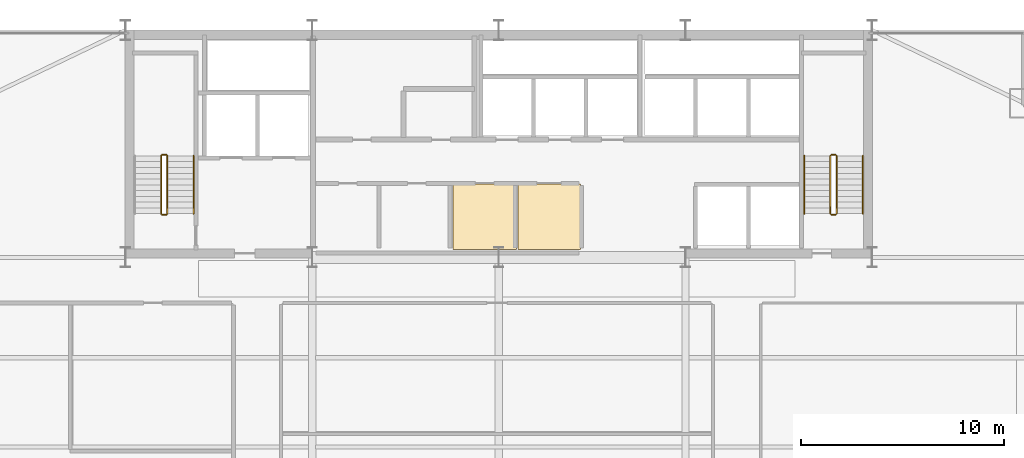
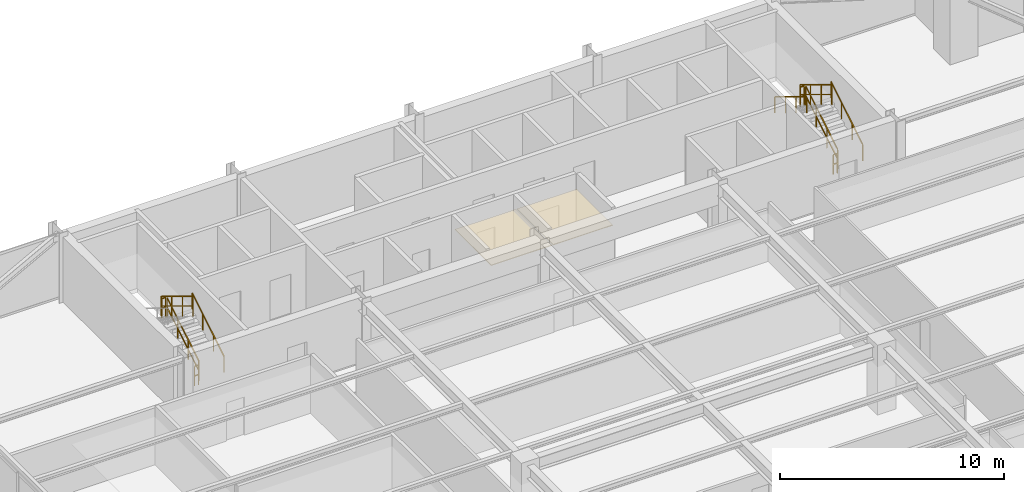
# One storey, part 30 of 30: 11 railings, 2 coverings.
"""IFC4 building model written with IfcOpenShell, lengths in metres."""

from ifc_helpers import new_model, si_unit, direction, frame, origin, origin_2d, place, context, subcontext, project, spatial, polyline, rectangle, outline, extrude, material, layer, layer_set, type_object, element, save


model = new_model("IFC4")

# Units and contexts
model_context = context("Model", 3, precision=1e-05, world=origin(), true_north=direction((0.0, 1.0)))
body_context = subcontext(model_context, "Body", "Model", "MODEL_VIEW")
ifc_project = project(units=[si_unit("LENGTHUNIT", "METRE"), si_unit("AREAUNIT", "SQUARE_METRE"), si_unit("VOLUMEUNIT", "CUBIC_METRE"), si_unit("PLANEANGLEUNIT", "RADIAN"), si_unit("MASSUNIT", "GRAM", prefix="KILO")], contexts=[model_context])

# Site, building, storey
site_placement = place(None, origin())
site = spatial("IfcSite", under=ifc_project, at=site_placement, CompositionType="ELEMENT")
building_placement = place(site_placement, origin())
building = spatial("IfcBuilding", under=site, at=building_placement, Name="Varnel Quay Broadcast Tower", CompositionType="ELEMENT")
storey_placement = place(building_placement, frame((0.0, 0.0, 122.0)))
storey = spatial("IfcBuildingStorey", under=building, at=storey_placement, Name="L29", CompositionType="ELEMENT", Elevation=122.0)

# Coverings
ifc_material_1 = material(Name="Micro-Perforated Acoustic Ceiling Tile")
ifc_layer = layer(ifc_material_1, 0.0400390625, Name="Micro-Perforated Acoustic Ceiling Tile")
ifc_layer_set = layer_set([ifc_layer], Name="Micro-Perforated Acoustic Ceiling Tile")
covering_type = type_object("IfcCoveringType", Name="Cov_AcousticCeiling", PredefinedType="CEILING", material=ifc_layer_set)
covering_1_placement = place(storey_placement, frame((0.0, 0.0, 2.580078125)))
element("IfcCovering", 1, at=covering_1_placement, inside=storey, type_object=covering_type, Name="L29 Broadcast First-Aid & Quiet Room Acoustic Ceiling", PredefinedType="CEILING", context=body_context, shape_type="SweptSolid", body=[
    extrude(outline(polyline([(31.735107421875, 35.985107421875), (34.864990234375, 35.985107421875), (34.864990234375, 39.215087890625), (31.735107421875, 39.215087890625), (31.735107421875, 35.985107421875)])), origin(), (0.0, 0.0, 1.0), 0.0400390625),
])
covering_2_placement = place(storey_placement, frame((0.0, 0.0, 2.580078125)))
element("IfcCovering", 2, at=covering_2_placement, inside=storey, type_object=covering_type, Name="L29 Zone Lighting Dimmer Room Acoustic Ceiling", PredefinedType="CEILING", context=body_context, shape_type="SweptSolid", body=[
    extrude(outline(polyline([(34.93505859375, 35.985107421875), (38.014892578125, 35.985107421875), (38.014892578125, 39.215087890625), (34.93505859375, 39.215087890625), (34.93505859375, 35.985107421875)])), origin(), (0.0, 0.0, 1.0), 0.0400390625),
])

# Railings
ifc_material_2 = material(Name="Painted Steel Guard and Handrail CSA G40.21 350W", Category="steel")
railing_type_1 = type_object("IfcRailingType", Name="Rail_StairGuard1100", PredefinedType="GUARDRAIL", material=ifc_material_2)
railing_1_placement = place(storey_placement, frame((17.64990234375, 37.75, 0.172607421875)))
element("IfcRailing", 3, at=railing_1_placement, inside=storey, type_object=railing_type_1, Name="L29 ST-01 stair guard 1", PredefinedType="GUARDRAIL", context=body_context, shape_type="SweptSolid", body=[
    extrude(rectangle(XDim=0.048095703125, YDim=0.048095703125, at=origin_2d()), frame((0.0, 0.0, 1.076171875), z_axis=(0.0, 0.855202751398, 0.518293598264), x_axis=(-1.0, 0.0, 0.0)), (0.0, 0.0, 1.0), 3.332763671875),
    extrude(rectangle(XDim=0.048095703125, YDim=0.048095703125, at=origin_2d()), frame((0.0, 0.0, 0.550048828125), z_axis=(0.0, 0.855202751398, 0.518293598264), x_axis=(-1.0, 0.0, 0.0)), (0.0, 0.0, 1.0), 3.332763671875),
    extrude(rectangle(XDim=0.0419921875, YDim=0.0419921875, at=origin_2d()), origin(), (0.0, 0.0, 1.0), 1.052001953125),
    extrude(rectangle(XDim=0.0419921875, YDim=0.0419921875, at=origin_2d()), frame((0.0, 0.949951171875, 0.57568359375)), (0.0, 0.0, 1.0), 1.052001953125),
    extrude(rectangle(XDim=0.0419921875, YDim=0.0419921875, at=origin_2d()), frame((0.0, 1.900146484375, 1.151611328125)), (0.0, 0.0, 1.0), 1.052001953125),
    extrude(rectangle(XDim=0.0419921875, YDim=0.0419921875, at=origin_2d()), frame((0.0, 2.85009765625, 1.727294921875)), (0.0, 0.0, 1.0), 1.052001953125),
])
railing_2_placement = place(storey_placement, frame((17.60009765625, 40.64990234375, 1.89990234375)))
element("IfcRailing", 4, at=railing_2_placement, inside=storey, type_object=railing_type_1, Name="L29 ST-01 stair guard 2", PredefinedType="GUARDRAIL", context=body_context, shape_type="SweptSolid", body=[
    extrude(rectangle(XDim=0.048095703125, YDim=0.048095703125, at=origin_2d()), frame((0.0, 0.0, 1.076171875), z_axis=(-1.0, 0.0, 0.0), x_axis=(0.0, -1.0, 0.0)), (0.0, 0.0, 1.0), 0.2001953125),
    extrude(rectangle(XDim=0.048095703125, YDim=0.048095703125, at=origin_2d()), frame((0.0, 0.0, 0.550048828125), z_axis=(-1.0, 0.0, 0.0), x_axis=(0.0, -1.0, 0.0)), (0.0, 0.0, 1.0), 0.2001953125),
    extrude(rectangle(XDim=0.0419921875, YDim=0.0419921875, at=origin_2d()), origin(), (0.0, 0.0, 1.0), 1.052001953125),
    extrude(rectangle(XDim=0.0419921875, YDim=0.0419921875, at=origin_2d()), frame((-0.2001953125, 0.0, 0.0)), (0.0, 0.0, 1.0), 1.052001953125),
])
railing_3_placement = place(storey_placement, frame((17.35009765625, 40.60009765625, 2.07275390625)))
element("IfcRailing", 5, at=railing_3_placement, inside=storey, type_object=railing_type_1, Name="L29 ST-01 stair guard 3", PredefinedType="GUARDRAIL", context=body_context, shape_type="SweptSolid", body=[
    extrude(rectangle(XDim=0.048095703125, YDim=0.048095703125, at=origin_2d()), frame((0.0, 0.0, 1.076171875), z_axis=(0.0, -0.855202751398, 0.518293598264), x_axis=(1.0, 0.0, 0.0)), (0.0, 0.0, 1.0), 3.332763671875),
    extrude(rectangle(XDim=0.048095703125, YDim=0.048095703125, at=origin_2d()), frame((0.0, 0.0, 0.550048828125), z_axis=(0.0, -0.855202751398, 0.518293598264), x_axis=(1.0, 0.0, 0.0)), (0.0, 0.0, 1.0), 3.332763671875),
    extrude(rectangle(XDim=0.0419921875, YDim=0.0419921875, at=origin_2d()), origin(), (0.0, 0.0, 1.0), 1.052001953125),
    extrude(rectangle(XDim=0.0419921875, YDim=0.0419921875, at=origin_2d()), frame((0.0, -0.949951171875, 0.57568359375)), (0.0, 0.0, 1.0), 1.052001953125),
    extrude(rectangle(XDim=0.0419921875, YDim=0.0419921875, at=origin_2d()), frame((0.0, -1.900146484375, 1.151611328125)), (0.0, 0.0, 1.0), 1.052001953125),
    extrude(rectangle(XDim=0.0419921875, YDim=0.0419921875, at=origin_2d()), frame((0.0, -2.85009765625, 1.727294921875)), (0.0, 0.0, 1.0), 1.052001953125),
])
railing_4_placement = place(storey_placement, frame((17.60009765625, 37.699951171875, 0.0)))
element("IfcRailing", 6, at=railing_4_placement, inside=storey, type_object=railing_type_1, Name="L29 ST-01 stair guard 4", PredefinedType="GUARDRAIL", context=body_context, shape_type="SweptSolid", body=[
    extrude(rectangle(XDim=0.048095703125, YDim=0.048095703125, at=origin_2d()), frame((0.0, 0.0, 1.076171875), z_axis=(-1.0, 0.0, 0.0), x_axis=(0.0, -1.0, 0.0)), (0.0, 0.0, 1.0), 0.2001953125),
    extrude(rectangle(XDim=0.048095703125, YDim=0.048095703125, at=origin_2d()), frame((0.0, 0.0, 0.550048828125), z_axis=(-1.0, 0.0, 0.0), x_axis=(0.0, -1.0, 0.0)), (0.0, 0.0, 1.0), 0.2001953125),
    extrude(rectangle(XDim=0.0419921875, YDim=0.0419921875, at=origin_2d()), origin(), (0.0, 0.0, 1.0), 1.052001953125),
    extrude(rectangle(XDim=0.0419921875, YDim=0.0419921875, at=origin_2d()), frame((-0.2001953125, 0.0, 0.0)), (0.0, 0.0, 1.0), 1.052001953125),
])
railing_5_placement = place(storey_placement, frame((50.64990234375, 37.75, 0.172607421875)))
element("IfcRailing", 7, at=railing_5_placement, inside=storey, type_object=railing_type_1, Name="L29 ST-02 stair guard 1", PredefinedType="GUARDRAIL", context=body_context, shape_type="SweptSolid", body=[
    extrude(rectangle(XDim=0.048095703125, YDim=0.048095703125, at=origin_2d()), frame((0.0, 0.0, 1.076171875), z_axis=(0.0, 0.855202751398, 0.518293598264), x_axis=(-1.0, 0.0, 0.0)), (0.0, 0.0, 1.0), 3.332763671875),
    extrude(rectangle(XDim=0.048095703125, YDim=0.048095703125, at=origin_2d()), frame((0.0, 0.0, 0.550048828125), z_axis=(0.0, 0.855202751398, 0.518293598264), x_axis=(-1.0, 0.0, 0.0)), (0.0, 0.0, 1.0), 3.332763671875),
    extrude(rectangle(XDim=0.0419921875, YDim=0.0419921875, at=origin_2d()), origin(), (0.0, 0.0, 1.0), 1.052001953125),
    extrude(rectangle(XDim=0.0419921875, YDim=0.0419921875, at=origin_2d()), frame((0.0, 0.949951171875, 0.57568359375)), (0.0, 0.0, 1.0), 1.052001953125),
    extrude(rectangle(XDim=0.0419921875, YDim=0.0419921875, at=origin_2d()), frame((0.0, 1.900146484375, 1.151611328125)), (0.0, 0.0, 1.0), 1.052001953125),
    extrude(rectangle(XDim=0.0419921875, YDim=0.0419921875, at=origin_2d()), frame((0.0, 2.85009765625, 1.727294921875)), (0.0, 0.0, 1.0), 1.052001953125),
])
railing_6_placement = place(storey_placement, frame((50.60009765625, 40.64990234375, 1.89990234375)))
element("IfcRailing", 8, at=railing_6_placement, inside=storey, type_object=railing_type_1, Name="L29 ST-02 stair guard 2", PredefinedType="GUARDRAIL", context=body_context, shape_type="SweptSolid", body=[
    extrude(rectangle(XDim=0.048095703125, YDim=0.048095703125, at=origin_2d()), frame((0.0, 0.0, 1.076171875), z_axis=(-1.0, 0.0, 0.0), x_axis=(0.0, -1.0, 0.0)), (0.0, 0.0, 1.0), 0.2001953125),
    extrude(rectangle(XDim=0.048095703125, YDim=0.048095703125, at=origin_2d()), frame((0.0, 0.0, 0.550048828125), z_axis=(-1.0, 0.0, 0.0), x_axis=(0.0, -1.0, 0.0)), (0.0, 0.0, 1.0), 0.2001953125),
    extrude(rectangle(XDim=0.0419921875, YDim=0.0419921875, at=origin_2d()), origin(), (0.0, 0.0, 1.0), 1.052001953125),
    extrude(rectangle(XDim=0.0419921875, YDim=0.0419921875, at=origin_2d()), frame((-0.2001953125, 0.0, 0.0)), (0.0, 0.0, 1.0), 1.052001953125),
])
railing_7_placement = place(storey_placement, frame((50.35009765625, 40.60009765625, 2.07275390625)))
element("IfcRailing", 9, at=railing_7_placement, inside=storey, type_object=railing_type_1, Name="L29 ST-02 stair guard 3", PredefinedType="GUARDRAIL", context=body_context, shape_type="SweptSolid", body=[
    extrude(rectangle(XDim=0.048095703125, YDim=0.048095703125, at=origin_2d()), frame((0.0, 0.0, 1.076171875), z_axis=(0.0, -0.855202751398, 0.518293598264), x_axis=(1.0, 0.0, 0.0)), (0.0, 0.0, 1.0), 3.332763671875),
    extrude(rectangle(XDim=0.048095703125, YDim=0.048095703125, at=origin_2d()), frame((0.0, 0.0, 0.550048828125), z_axis=(0.0, -0.855202751398, 0.518293598264), x_axis=(1.0, 0.0, 0.0)), (0.0, 0.0, 1.0), 3.332763671875),
    extrude(rectangle(XDim=0.0419921875, YDim=0.0419921875, at=origin_2d()), origin(), (0.0, 0.0, 1.0), 1.052001953125),
    extrude(rectangle(XDim=0.0419921875, YDim=0.0419921875, at=origin_2d()), frame((0.0, -0.949951171875, 0.57568359375)), (0.0, 0.0, 1.0), 1.052001953125),
    extrude(rectangle(XDim=0.0419921875, YDim=0.0419921875, at=origin_2d()), frame((0.0, -1.900146484375, 1.151611328125)), (0.0, 0.0, 1.0), 1.052001953125),
    extrude(rectangle(XDim=0.0419921875, YDim=0.0419921875, at=origin_2d()), frame((0.0, -2.85009765625, 1.727294921875)), (0.0, 0.0, 1.0), 1.052001953125),
])
railing_8_placement = place(storey_placement, frame((50.60009765625, 37.699951171875, 0.0)))
element("IfcRailing", 10, at=railing_8_placement, inside=storey, type_object=railing_type_1, Name="L29 ST-02 stair guard 4", PredefinedType="GUARDRAIL", context=body_context, shape_type="SweptSolid", body=[
    extrude(rectangle(XDim=0.048095703125, YDim=0.048095703125, at=origin_2d()), frame((0.0, 0.0, 1.076171875), z_axis=(-1.0, 0.0, 0.0), x_axis=(0.0, -1.0, 0.0)), (0.0, 0.0, 1.0), 0.2001953125),
    extrude(rectangle(XDim=0.048095703125, YDim=0.048095703125, at=origin_2d()), frame((0.0, 0.0, 0.550048828125), z_axis=(-1.0, 0.0, 0.0), x_axis=(0.0, -1.0, 0.0)), (0.0, 0.0, 1.0), 0.2001953125),
    extrude(rectangle(XDim=0.0419921875, YDim=0.0419921875, at=origin_2d()), origin(), (0.0, 0.0, 1.0), 1.052001953125),
    extrude(rectangle(XDim=0.0419921875, YDim=0.0419921875, at=origin_2d()), frame((-0.2001953125, 0.0, 0.0)), (0.0, 0.0, 1.0), 1.052001953125),
])
railing_type_2 = type_object("IfcRailingType", Name="Rail_StairHandrail900", PredefinedType="HANDRAIL", material=ifc_material_2)
for number, where, name in (
    (11, (18.949951171875, 37.75, 0.172607421875), "L29 ST-01 stair handrail 1"),
    (12, (51.949951171875, 37.75, 0.172607421875), "L29 ST-02 stair handrail 1"),
):
    element("IfcRailing", number, at=place(storey_placement, frame(where)), inside=storey, type_object=railing_type_2, Name=name, PredefinedType="HANDRAIL", context=body_context, shape_type="SweptSolid", body=[
        extrude(rectangle(XDim=0.048095703125, YDim=0.048095703125, at=origin_2d()), frame((0.0, 0.0, 0.8759765625), z_axis=(0.0, 0.855202751398, 0.518293598264), x_axis=(-1.0, 0.0, 0.0)), (0.0, 0.0, 1.0), 3.332763671875),
        extrude(rectangle(XDim=0.0419921875, YDim=0.0419921875, at=origin_2d()), origin(), (0.0, 0.0, 1.0), 0.851806640625),
        extrude(rectangle(XDim=0.0419921875, YDim=0.0419921875, at=origin_2d()), frame((0.0, 0.949951171875, 0.57568359375)), (0.0, 0.0, 1.0), 0.851806640625),
        extrude(rectangle(XDim=0.0419921875, YDim=0.0419921875, at=origin_2d()), frame((0.0, 1.900146484375, 1.151611328125)), (0.0, 0.0, 1.0), 0.851806640625),
        extrude(rectangle(XDim=0.0419921875, YDim=0.0419921875, at=origin_2d()), frame((0.0, 2.85009765625, 1.727294921875)), (0.0, 0.0, 1.0), 0.851806640625),
    ])
railing_9_placement = place(storey_placement, frame((49.050048828125, 40.60009765625, 2.07275390625)))
element("IfcRailing", 13, at=railing_9_placement, inside=storey, type_object=railing_type_2, Name="L29 ST-02 stair handrail 2", PredefinedType="HANDRAIL", context=body_context, shape_type="SweptSolid", body=[
    extrude(rectangle(XDim=0.048095703125, YDim=0.048095703125, at=origin_2d()), frame((0.0, 0.0, 0.8759765625), z_axis=(0.0, -0.855202751398, 0.518293598264), x_axis=(1.0, 0.0, 0.0)), (0.0, 0.0, 1.0), 3.332763671875),
    extrude(rectangle(XDim=0.0419921875, YDim=0.0419921875, at=origin_2d()), origin(), (0.0, 0.0, 1.0), 0.851806640625),
    extrude(rectangle(XDim=0.0419921875, YDim=0.0419921875, at=origin_2d()), frame((0.0, -0.949951171875, 0.57568359375)), (0.0, 0.0, 1.0), 0.851806640625),
    extrude(rectangle(XDim=0.0419921875, YDim=0.0419921875, at=origin_2d()), frame((0.0, -1.900146484375, 1.151611328125)), (0.0, 0.0, 1.0), 0.851806640625),
    extrude(rectangle(XDim=0.0419921875, YDim=0.0419921875, at=origin_2d()), frame((0.0, -2.85009765625, 1.727294921875)), (0.0, 0.0, 1.0), 0.851806640625),
])

save(model, "model.ifc")
